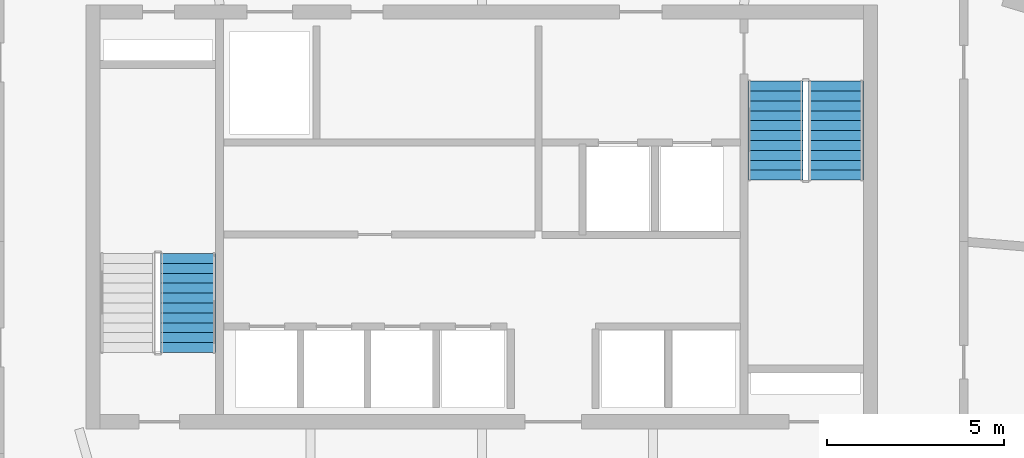
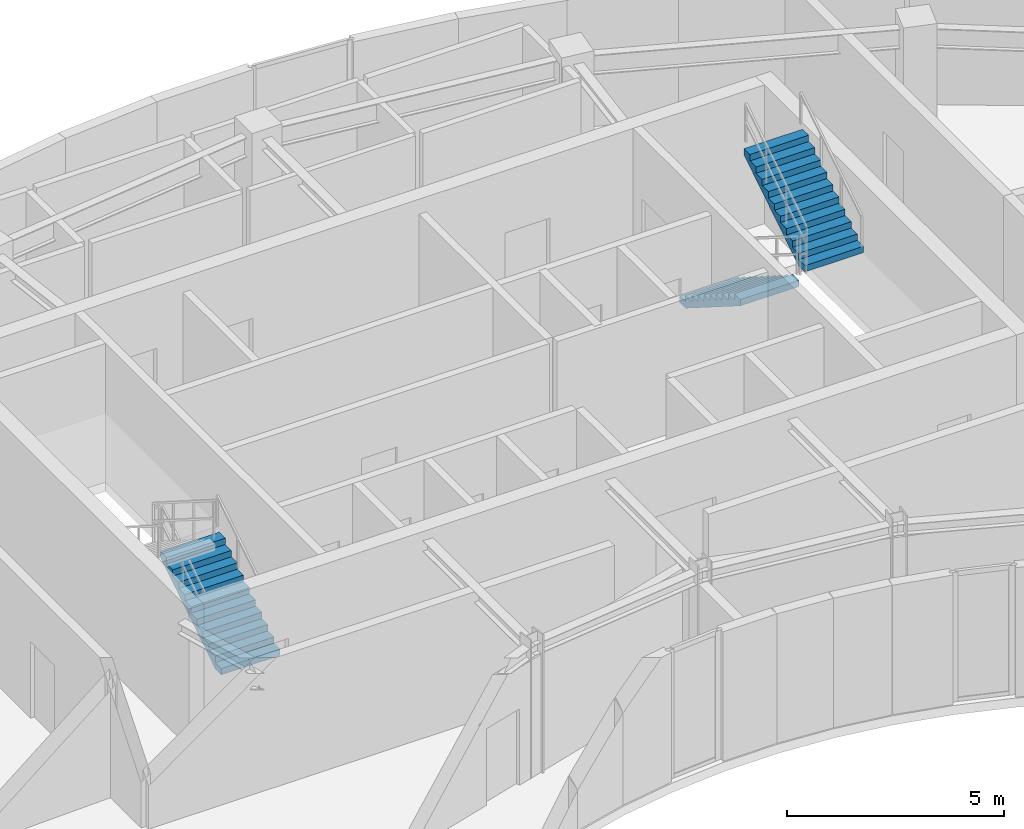
# One storey, part 8 of 9: 3 stair flights, 2 elements without a shape of their own.
"""IFC4 building model written with IfcOpenShell, lengths in metres."""

from ifc_helpers import new_model, si_unit, direction, frame, origin, place, context, subcontext, project, spatial, polyline, outline, extrude, material, type_object, element, aggregate, save


model = new_model("IFC4")

# Units and contexts
model_context = context("Model", 3, precision=1e-05, world=origin(), true_north=direction((0.0, 1.0)))
body_context = subcontext(model_context, "Body", "Model", "MODEL_VIEW")
ifc_project = project(units=[si_unit("LENGTHUNIT", "METRE"), si_unit("AREAUNIT", "SQUARE_METRE"), si_unit("VOLUMEUNIT", "CUBIC_METRE"), si_unit("PLANEANGLEUNIT", "RADIAN"), si_unit("MASSUNIT", "GRAM", prefix="KILO")], contexts=[model_context])

# Site, building, storey
site_placement = place(None, origin())
site = spatial("IfcSite", under=ifc_project, at=site_placement, CompositionType="ELEMENT")
building_placement = place(site_placement, origin())
building = spatial("IfcBuilding", under=site, at=building_placement, Name="Breltana Convention Tower", CompositionType="ELEMENT")
storey_placement = place(building_placement, frame((0.0, 0.0, 291.300048828125)))
storey = spatial("IfcBuildingStorey", under=building, at=storey_placement, Name="L71", CompositionType="ELEMENT", Elevation=291.300048828125)

# Stair, stair flight
ifc_material = material(Name="Concrete C40/50", Category="concrete")
stair_type = type_object("IfcStairType", Name="ST-DOG-1560-R177", PredefinedType="HALF_TURN_STAIR", material=ifc_material)
stair_1_placement = place(storey_placement, origin())
stair_1 = element("IfcStair", 1, at=stair_1_placement, inside=storey, type_object=stair_type, Name="L71 Protected Core Exit Stair ST-1", PredefinedType="HALF_TURN_STAIR")
stair_flight_type = type_object("IfcStairFlightType", Name="STF-DOG-1560-N11-R177", PredefinedType="STRAIGHT", material=ifc_material)
stair_flight_1_placement = place(storey_placement, frame((39.68994140625, 62.360107421875, 0.0), z_axis=(0.0, 0.0, 1.0), x_axis=(0.0, 1.0, 0.0)))
stair_flight_1 = element("IfcStairFlight", 2, at=stair_flight_1_placement, type_object=stair_flight_type, Name="ST-1 flight 1", NumberOfRisers=11, NumberOfTreads=10, PredefinedType="STRAIGHT", RiserHeight=0.177272727, TreadLength=0.28, context=body_context, shape_type="SweptSolid", body=[
    extrude(outline(polyline([(0.0, 0.0), (0.0, 0.17724609375), (0.280029296875, 0.17724609375), (0.280029296875, 0.3544921875), (0.56005859375, 0.3544921875), (0.56005859375, 0.53173828125), (0.840087890625, 0.53173828125), (0.840087890625, 0.708984375), (1.1201171875, 0.708984375), (1.1201171875, 0.886474609375), (1.39990234375, 0.886474609375), (1.39990234375, 1.063720703125), (1.679931640625, 1.063720703125), (1.679931640625, 1.240966796875), (1.9599609375, 1.240966796875), (1.9599609375, 1.418212890625), (2.239990234375, 1.418212890625), (2.239990234375, 1.595458984375), (2.52001953125, 1.595458984375), (2.52001953125, 1.772705078125), (2.800048828125, 1.772705078125), (2.800048828125, 1.949951171875), (2.800048828125, 1.59521484375), (0.2802734375, 0.0), (0.0, 0.0)])), frame((0.0, 0.780029296875, 0.0), z_axis=(0.0, -1.0, 0.0), x_axis=(1.0, 0.0, 0.0)), (0.0, 0.0, 1.0), 1.56005859375),
])
aggregate(stair_1, [stair_flight_1])

# Stair, stair flights
stair_2_placement = place(storey_placement, origin())
stair_2 = element("IfcStair", 3, at=stair_2_placement, inside=storey, type_object=stair_type, Name="L71 Protected Core Exit Stair ST-2", PredefinedType="HALF_TURN_STAIR")
stair_flight_2_placement = place(storey_placement, frame((56.31005859375, 70.0400390625, 0.0), z_axis=(0.0, 0.0, 1.0), x_axis=(0.0, -1.0, 0.0)))
stair_flight_2 = element("IfcStairFlight", 4, at=stair_flight_2_placement, type_object=stair_flight_type, Name="ST-2 flight 1", NumberOfRisers=11, NumberOfTreads=10, PredefinedType="STRAIGHT", RiserHeight=0.177272727, TreadLength=0.28, context=body_context, shape_type="SweptSolid", body=[
    extrude(outline(polyline([(0.0, 0.0), (0.0, 0.17724609375), (0.280029296875, 0.17724609375), (0.280029296875, 0.3544921875), (0.56005859375, 0.3544921875), (0.56005859375, 0.53173828125), (0.840087890625, 0.53173828125), (0.840087890625, 0.708984375), (1.1201171875, 0.708984375), (1.1201171875, 0.886474609375), (1.39990234375, 0.886474609375), (1.39990234375, 1.063720703125), (1.679931640625, 1.063720703125), (1.679931640625, 1.240966796875), (1.9599609375, 1.240966796875), (1.9599609375, 1.418212890625), (2.239990234375, 1.418212890625), (2.239990234375, 1.595458984375), (2.52001953125, 1.595458984375), (2.52001953125, 1.772705078125), (2.800048828125, 1.772705078125), (2.800048828125, 1.949951171875), (2.800048828125, 1.59521484375), (0.2802734375, 0.0), (0.0, 0.0)])), frame((0.0, 0.780029296875, 0.0), z_axis=(0.0, -1.0, 0.0), x_axis=(1.0, 0.0, 0.0)), (0.0, 0.0, 1.0), 1.56005859375),
])
stair_flight_3_placement = place(storey_placement, frame((58.02001953125, 67.239990234375, 1.949951171875), z_axis=(0.0, 0.0, 1.0), x_axis=(0.0, 1.0, 0.0)))
stair_flight_3 = element("IfcStairFlight", 5, at=stair_flight_3_placement, type_object=stair_flight_type, Name="ST-2 flight 2", NumberOfRisers=11, NumberOfTreads=10, PredefinedType="STRAIGHT", RiserHeight=0.177272727, TreadLength=0.28, context=body_context, shape_type="SweptSolid", body=[
    extrude(outline(polyline([(0.0, 0.0), (0.0, 0.17724609375), (0.280029296875, 0.17724609375), (0.280029296875, 0.3544921875), (0.56005859375, 0.3544921875), (0.56005859375, 0.53173828125), (0.840087890625, 0.53173828125), (0.840087890625, 0.708984375), (1.1201171875, 0.708984375), (1.1201171875, 0.886474609375), (1.39990234375, 0.886474609375), (1.39990234375, 1.063720703125), (1.679931640625, 1.063720703125), (1.679931640625, 1.240966796875), (1.9599609375, 1.240966796875), (1.9599609375, 1.418212890625), (2.239990234375, 1.418212890625), (2.239990234375, 1.595458984375), (2.52001953125, 1.595458984375), (2.52001953125, 1.772705078125), (2.800048828125, 1.772705078125), (2.800048828125, 1.949951171875), (2.800048828125, 1.59521484375), (0.2802734375, 0.0), (0.0, 0.0)])), frame((0.0, 0.780029296875, 0.0), z_axis=(0.0, -1.0, 0.0), x_axis=(1.0, 0.0, 0.0)), (0.0, 0.0, 1.0), 1.56005859375),
])
aggregate(stair_2, [stair_flight_2, stair_flight_3])

save(model, "model.ifc")
